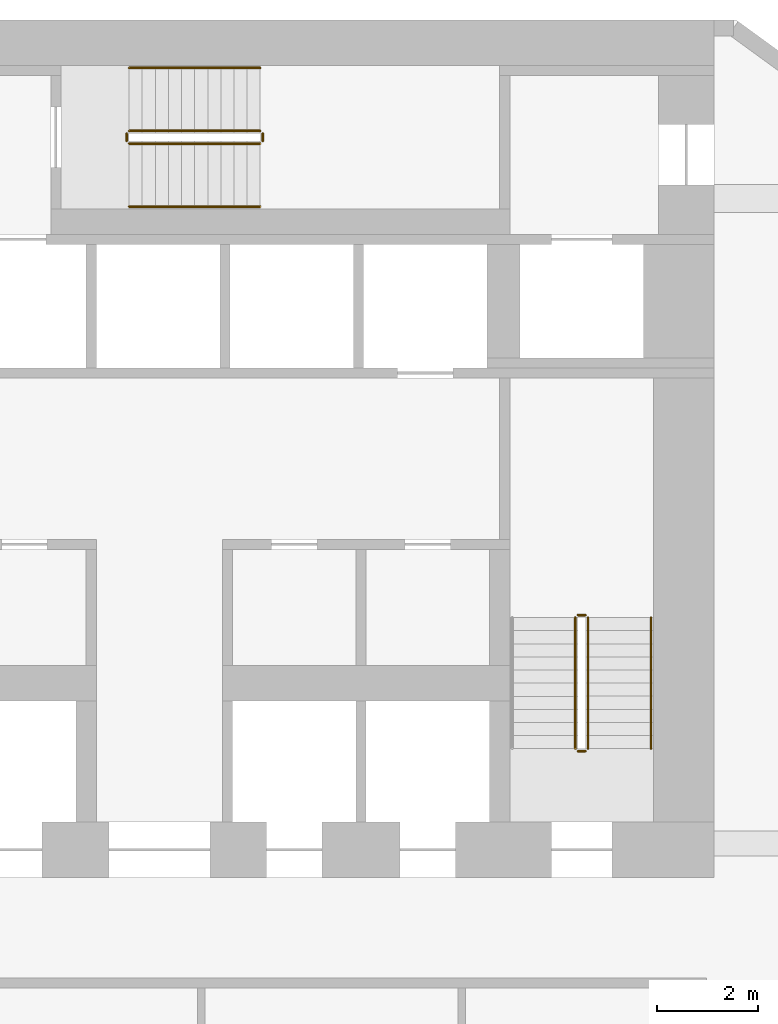
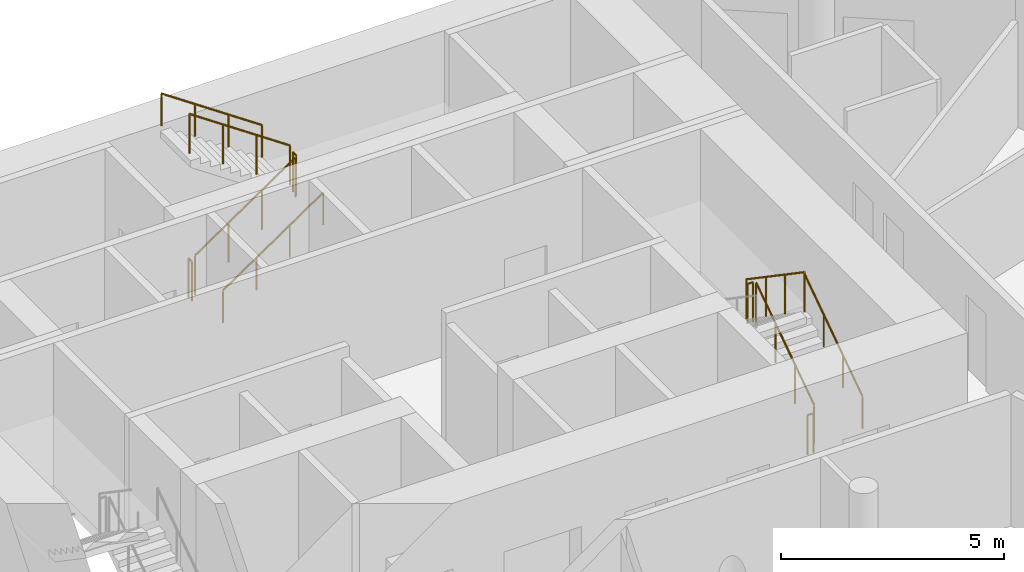
# One storey, part 9 of 9: 11 railings.
"""IFC4 building model written with IfcOpenShell, lengths in metres."""

from ifc_helpers import new_model, si_unit, direction, frame, origin, origin_2d, place, context, subcontext, project, spatial, circle, extrude, material, type_object, element, save


model = new_model("IFC4")

# Units and contexts
model_context = context("Model", 3, precision=1e-05, world=origin(), true_north=direction((0.0, 1.0)))
body_context = subcontext(model_context, "Body", "Model", "MODEL_VIEW")
ifc_project = project(units=[si_unit("LENGTHUNIT", "METRE"), si_unit("AREAUNIT", "SQUARE_METRE"), si_unit("VOLUMEUNIT", "CUBIC_METRE"), si_unit("PLANEANGLEUNIT", "RADIAN"), si_unit("MASSUNIT", "GRAM", prefix="KILO")], contexts=[model_context])

# Site, building, storey
site_placement = place(None, origin())
site = spatial("IfcSite", under=ifc_project, at=site_placement, CompositionType="ELEMENT")
building_placement = place(site_placement, origin())
building = spatial("IfcBuilding", under=site, at=building_placement, Name="White Candle Pilgrim Tower", CompositionType="ELEMENT")
storey_placement = place(building_placement, frame((0.0, 0.0, 98.60009765625)))
storey = spatial("IfcBuildingStorey", under=building, at=storey_placement, Name="L21", CompositionType="ELEMENT", Elevation=98.60009765625)

# Railings
ifc_material = material(Name="Stainless steel", Category="steel")
railing_type_1 = type_object("IfcRailingType", Name="Stair guard stainless steel 1100 mm", PredefinedType="GUARDRAIL", material=ifc_material)
railing_1_placement = place(storey_placement, frame((78.5, 73.550048828125, 0.17724609375)))
element("IfcRailing", 1, at=railing_1_placement, inside=storey, type_object=railing_type_1, Name="L21 ST2 stair guard 1", PredefinedType="GUARDRAIL", context=body_context, shape_type="SweptSolid", body=[
    extrude(circle(Radius=0.02392578125, at=origin_2d()), frame((0.0, 0.0, 1.076171875), z_axis=(0.0, 0.826215852431, 0.563353676824), x_axis=(-1.0, 0.0, 0.0)), (0.0, 0.0, 1.0), 3.146728515625),
    extrude(circle(Radius=0.02099609375, at=origin_2d()), origin(), (0.0, 0.0, 1.0), 1.052001953125),
    extrude(circle(Radius=0.02099609375, at=origin_2d()), frame((0.0, 0.86669921875, 0.5908203125)), (0.0, 0.0, 1.0), 1.052001953125),
    extrude(circle(Radius=0.02099609375, at=origin_2d()), frame((0.0, 1.733154296875, 1.181884765625)), (0.0, 0.0, 1.0), 1.052001953125),
    extrude(circle(Radius=0.02099609375, at=origin_2d()), frame((0.0, 2.599853515625, 1.772705078125)), (0.0, 0.0, 1.0), 1.052001953125),
])
railing_2_placement = place(storey_placement, frame((78.449951171875, 76.199951171875, 1.949951171875)))
element("IfcRailing", 2, at=railing_2_placement, inside=storey, type_object=railing_type_1, Name="L21 ST2 stair guard 2", PredefinedType="GUARDRAIL", context=body_context, shape_type="SweptSolid", body=[
    extrude(circle(Radius=0.02392578125, at=origin_2d()), frame((0.0, 0.0, 1.076171875), z_axis=(-1.0, 0.0, 0.0), x_axis=(0.0, -1.0, 0.0)), (0.0, 0.0, 1.0), 0.14990234375),
    extrude(circle(Radius=0.02099609375, at=origin_2d()), origin(), (0.0, 0.0, 1.0), 1.052001953125),
    extrude(circle(Radius=0.02099609375, at=origin_2d()), frame((-0.14990234375, 0.0, 0.0)), (0.0, 0.0, 1.0), 1.052001953125),
])
railing_3_placement = place(storey_placement, frame((78.25, 76.14990234375, 2.127197265625)))
element("IfcRailing", 3, at=railing_3_placement, inside=storey, type_object=railing_type_1, Name="L21 ST2 stair guard 3", PredefinedType="GUARDRAIL", context=body_context, shape_type="SweptSolid", body=[
    extrude(circle(Radius=0.02392578125, at=origin_2d()), frame((0.0, 0.0, 1.076171875), z_axis=(0.0, -0.826215852431, 0.563353676824), x_axis=(1.0, 0.0, 0.0)), (0.0, 0.0, 1.0), 3.146728515625),
    extrude(circle(Radius=0.02099609375, at=origin_2d()), origin(), (0.0, 0.0, 1.0), 1.052001953125),
    extrude(circle(Radius=0.02099609375, at=origin_2d()), frame((0.0, -0.86669921875, 0.5908203125)), (0.0, 0.0, 1.0), 1.052001953125),
    extrude(circle(Radius=0.02099609375, at=origin_2d()), frame((0.0, -1.733154296875, 1.181884765625)), (0.0, 0.0, 1.0), 1.052001953125),
    extrude(circle(Radius=0.02099609375, at=origin_2d()), frame((0.0, -2.599853515625, 1.772705078125)), (0.0, 0.0, 1.0), 1.052001953125),
])
railing_4_placement = place(storey_placement, frame((78.449951171875, 73.5, 0.0)))
element("IfcRailing", 4, at=railing_4_placement, inside=storey, type_object=railing_type_1, Name="L21 ST2 stair guard 4", PredefinedType="GUARDRAIL", context=body_context, shape_type="SweptSolid", body=[
    extrude(circle(Radius=0.02392578125, at=origin_2d()), frame((0.0, 0.0, 1.076171875), z_axis=(-1.0, 0.0, 0.0), x_axis=(0.0, -1.0, 0.0)), (0.0, 0.0, 1.0), 0.14990234375),
    extrude(circle(Radius=0.02099609375, at=origin_2d()), origin(), (0.0, 0.0, 1.0), 1.052001953125),
    extrude(circle(Radius=0.02099609375, at=origin_2d()), frame((-0.14990234375, 0.0, 0.0)), (0.0, 0.0, 1.0), 1.052001953125),
])
railing_5_placement = place(storey_placement, frame((69.39990234375, 85.550048828125, 0.17724609375)))
element("IfcRailing", 5, at=railing_5_placement, inside=storey, type_object=railing_type_1, Name="L21 ST3 stair guard 1", PredefinedType="GUARDRAIL", context=body_context, shape_type="SweptSolid", body=[
    extrude(circle(Radius=0.02392578125, at=origin_2d()), frame((0.0, 0.0, 1.076171875), z_axis=(0.826240473404, 0.0, 0.563317565952), x_axis=(0.0, 1.0, 0.0)), (0.0, 0.0, 1.0), 3.14697265625),
    extrude(circle(Radius=0.02099609375, at=origin_2d()), origin(), (0.0, 0.0, 1.0), 1.052001953125),
    extrude(circle(Radius=0.02099609375, at=origin_2d()), frame((0.86669921875, 0.0, 0.5908203125)), (0.0, 0.0, 1.0), 1.052001953125),
    extrude(circle(Radius=0.02099609375, at=origin_2d()), frame((1.7333984375, 0.0, 1.181884765625)), (0.0, 0.0, 1.0), 1.052001953125),
    extrude(circle(Radius=0.02099609375, at=origin_2d()), frame((2.60009765625, 0.0, 1.772705078125)), (0.0, 0.0, 1.0), 1.052001953125),
])
railing_6_placement = place(storey_placement, frame((72.050048828125, 85.60009765625, 1.949951171875)))
element("IfcRailing", 6, at=railing_6_placement, inside=storey, type_object=railing_type_1, Name="L21 ST3 stair guard 2", PredefinedType="GUARDRAIL", context=body_context, shape_type="SweptSolid", body=[
    extrude(circle(Radius=0.02392578125, at=origin_2d()), frame((0.0, 0.0, 1.076171875), z_axis=(0.0, 1.0, 0.0), x_axis=(-1.0, 0.0, 0.0)), (0.0, 0.0, 1.0), 0.14990234375),
    extrude(circle(Radius=0.02099609375, at=origin_2d()), origin(), (0.0, 0.0, 1.0), 1.052001953125),
    extrude(circle(Radius=0.02099609375, at=origin_2d()), frame((0.0, 0.14990234375, 0.0)), (0.0, 0.0, 1.0), 1.052001953125),
])
railing_7_placement = place(storey_placement, frame((72.0, 85.800048828125, 2.127197265625)))
element("IfcRailing", 7, at=railing_7_placement, inside=storey, type_object=railing_type_1, Name="L21 ST3 stair guard 3", PredefinedType="GUARDRAIL", context=body_context, shape_type="SweptSolid", body=[
    extrude(circle(Radius=0.02392578125, at=origin_2d()), frame((0.0, 0.0, 1.076171875), z_axis=(-0.826240473404, 0.0, 0.563317565952), x_axis=(0.0, -1.0, 0.0)), (0.0, 0.0, 1.0), 3.14697265625),
    extrude(circle(Radius=0.02099609375, at=origin_2d()), origin(), (0.0, 0.0, 1.0), 1.052001953125),
    extrude(circle(Radius=0.02099609375, at=origin_2d()), frame((-0.86669921875, 0.0, 0.5908203125)), (0.0, 0.0, 1.0), 1.052001953125),
    extrude(circle(Radius=0.02099609375, at=origin_2d()), frame((-1.7333984375, 0.0, 1.181884765625)), (0.0, 0.0, 1.0), 1.052001953125),
    extrude(circle(Radius=0.02099609375, at=origin_2d()), frame((-2.60009765625, 0.0, 1.772705078125)), (0.0, 0.0, 1.0), 1.052001953125),
])
railing_8_placement = place(storey_placement, frame((69.35009765625, 85.60009765625, 0.0)))
element("IfcRailing", 8, at=railing_8_placement, inside=storey, type_object=railing_type_1, Name="L21 ST3 stair guard 4", PredefinedType="GUARDRAIL", context=body_context, shape_type="SweptSolid", body=[
    extrude(circle(Radius=0.02392578125, at=origin_2d()), frame((0.0, 0.0, 1.076171875), z_axis=(0.0, 1.0, 0.0), x_axis=(-1.0, 0.0, 0.0)), (0.0, 0.0, 1.0), 0.14990234375),
    extrude(circle(Radius=0.02099609375, at=origin_2d()), origin(), (0.0, 0.0, 1.0), 1.052001953125),
    extrude(circle(Radius=0.02099609375, at=origin_2d()), frame((0.0, 0.14990234375, 0.0)), (0.0, 0.0, 1.0), 1.052001953125),
])
railing_type_2 = type_object("IfcRailingType", Name="Stair handrail stainless steel", PredefinedType="HANDRAIL", material=ifc_material)
railing_9_placement = place(storey_placement, frame((79.75, 73.550048828125, 0.17724609375)))
element("IfcRailing", 9, at=railing_9_placement, inside=storey, type_object=railing_type_2, Name="L21 ST2 stair handrail 1", PredefinedType="HANDRAIL", context=body_context, shape_type="SweptSolid", body=[
    extrude(circle(Radius=0.02392578125, at=origin_2d()), frame((0.0, 0.0, 0.8759765625), z_axis=(0.0, 0.826215852431, 0.563353676824), x_axis=(-1.0, 0.0, 0.0)), (0.0, 0.0, 1.0), 3.146728515625),
    extrude(circle(Radius=0.02099609375, at=origin_2d()), origin(), (0.0, 0.0, 1.0), 0.851806640625),
    extrude(circle(Radius=0.02099609375, at=origin_2d()), frame((0.0, 0.86669921875, 0.5908203125)), (0.0, 0.0, 1.0), 0.851806640625),
    extrude(circle(Radius=0.02099609375, at=origin_2d()), frame((0.0, 1.733154296875, 1.181884765625)), (0.0, 0.0, 1.0), 0.851806640625),
    extrude(circle(Radius=0.02099609375, at=origin_2d()), frame((0.0, 2.599853515625, 1.772705078125)), (0.0, 0.0, 1.0), 0.851806640625),
])
railing_10_placement = place(storey_placement, frame((69.39990234375, 84.300048828125, 0.17724609375)))
element("IfcRailing", 10, at=railing_10_placement, inside=storey, type_object=railing_type_2, Name="L21 ST3 stair handrail 1", PredefinedType="HANDRAIL", context=body_context, shape_type="SweptSolid", body=[
    extrude(circle(Radius=0.02392578125, at=origin_2d()), frame((0.0, 0.0, 0.8759765625), z_axis=(0.826240473404, 0.0, 0.563317565952), x_axis=(0.0, 1.0, 0.0)), (0.0, 0.0, 1.0), 3.14697265625),
    extrude(circle(Radius=0.02099609375, at=origin_2d()), origin(), (0.0, 0.0, 1.0), 0.851806640625),
    extrude(circle(Radius=0.02099609375, at=origin_2d()), frame((0.86669921875, 0.0, 0.5908203125)), (0.0, 0.0, 1.0), 0.851806640625),
    extrude(circle(Radius=0.02099609375, at=origin_2d()), frame((1.7333984375, 0.0, 1.181884765625)), (0.0, 0.0, 1.0), 0.851806640625),
    extrude(circle(Radius=0.02099609375, at=origin_2d()), frame((2.60009765625, 0.0, 1.772705078125)), (0.0, 0.0, 1.0), 0.851806640625),
])
railing_11_placement = place(storey_placement, frame((72.0, 87.050048828125, 2.127197265625)))
element("IfcRailing", 11, at=railing_11_placement, inside=storey, type_object=railing_type_2, Name="L21 ST3 stair handrail 2", PredefinedType="HANDRAIL", context=body_context, shape_type="SweptSolid", body=[
    extrude(circle(Radius=0.02392578125, at=origin_2d()), frame((0.0, 0.0, 0.8759765625), z_axis=(-0.826240473404, 0.0, 0.563317565952), x_axis=(0.0, -1.0, 0.0)), (0.0, 0.0, 1.0), 3.14697265625),
    extrude(circle(Radius=0.02099609375, at=origin_2d()), origin(), (0.0, 0.0, 1.0), 0.851806640625),
    extrude(circle(Radius=0.02099609375, at=origin_2d()), frame((-0.86669921875, 0.0, 0.5908203125)), (0.0, 0.0, 1.0), 0.851806640625),
    extrude(circle(Radius=0.02099609375, at=origin_2d()), frame((-1.7333984375, 0.0, 1.181884765625)), (0.0, 0.0, 1.0), 0.851806640625),
    extrude(circle(Radius=0.02099609375, at=origin_2d()), frame((-2.60009765625, 0.0, 1.772705078125)), (0.0, 0.0, 1.0), 0.851806640625),
])

save(model, "model.ifc")
